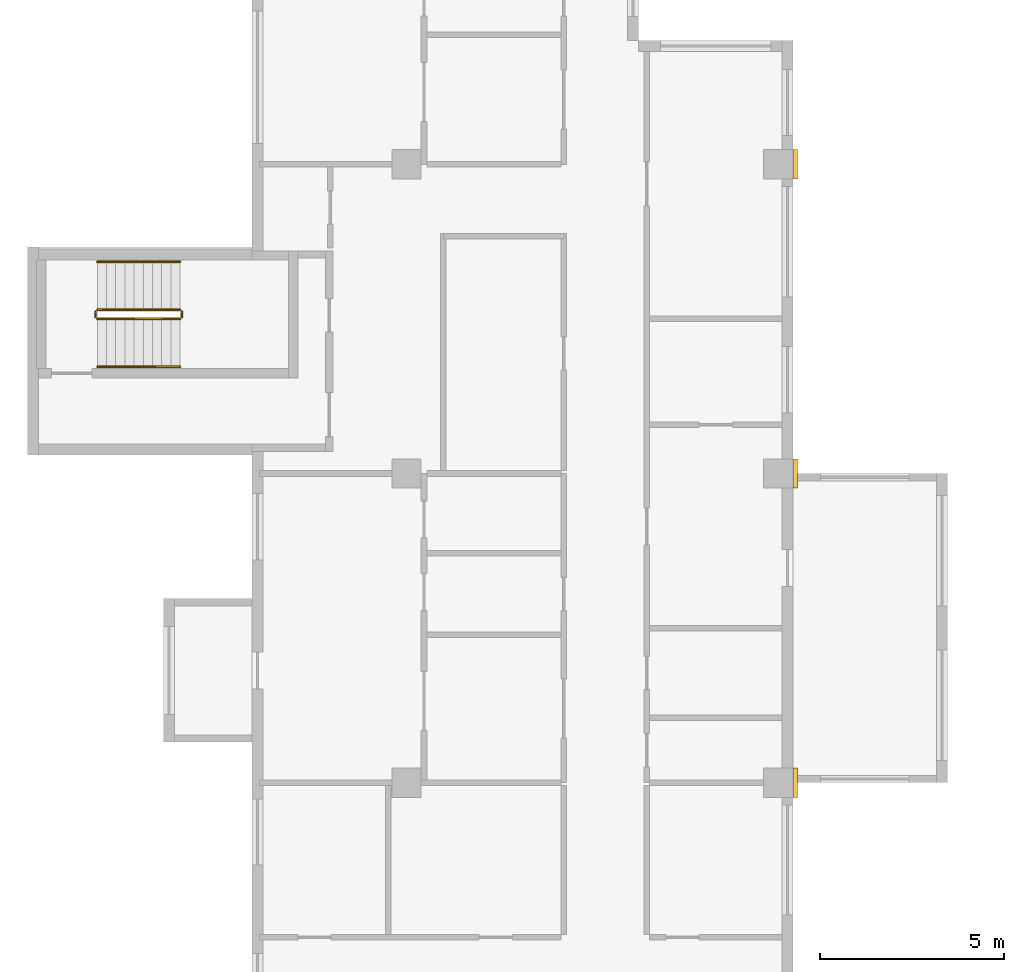
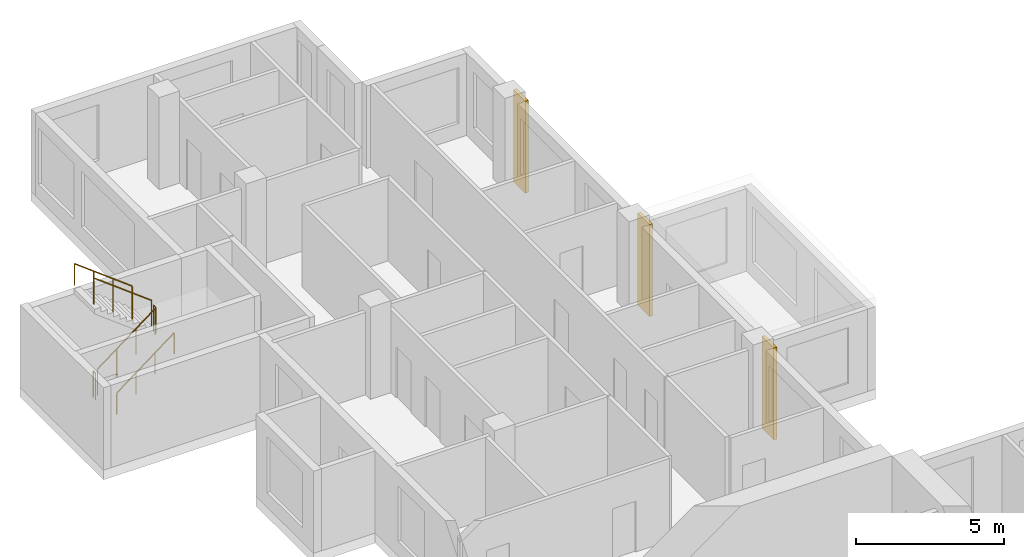
# One storey, part 12 of 12: 6 railings, 3 coverings.
"""IFC4 building model written with IfcOpenShell, lengths in metres."""

from ifc_helpers import new_model, si_unit, direction, frame, origin, origin_2d, place, context, subcontext, project, spatial, rectangle, circle, extrude, source, transform, mapped, material, type_object, element, save


model = new_model("IFC4")

# Units and contexts
model_context = context("Model", 3, precision=1e-05, world=origin(), true_north=direction((0.0, 1.0)))
body_context = subcontext(model_context, "Body", "Model", "MODEL_VIEW")
ifc_project = project(units=[si_unit("LENGTHUNIT", "METRE"), si_unit("AREAUNIT", "SQUARE_METRE"), si_unit("VOLUMEUNIT", "CUBIC_METRE"), si_unit("PLANEANGLEUNIT", "RADIAN"), si_unit("MASSUNIT", "GRAM", prefix="KILO")], contexts=[model_context])

# Site, building, storey
site_placement = place(None, origin())
site = spatial("IfcSite", under=ifc_project, at=site_placement, CompositionType="ELEMENT")
building_placement = place(site_placement, origin())
building = spatial("IfcBuilding", under=site, at=building_placement, Name="Aurelian Terraces", CompositionType="ELEMENT")
storey_placement = place(building_placement, frame((0.0, 0.0, 242.4)))
storey = spatial("IfcBuildingStorey", under=building, at=storey_placement, Name="L55", CompositionType="ELEMENT", Elevation=242.4)

# Coverings
ifc_material_1 = material(Name="Terracotta rainscreen cladding relief", Category="masonry")
covering_type = type_object("IfcCoveringType", Name="BAGUETTE-TC", PredefinedType="CLADDING", material=ifc_material_1)
shared_shape_1 = source(origin(), body_context, "Body", "SweptSolid", [
    extrude(rectangle(XDim=0.12, YDim=0.8, at=origin_2d()), origin(), (0.0, 0.0, 1.0), 3.8),
])
for number, where, z_axis, x_axis, name in (
    (1, (21.06, 29.4, -0.4), (0.0, 0.0, 1.0), (1.0, 0.0, 0.0), "BAGUETTE pier L55 6"),
    (2, (21.06, 37.8, -0.4), (0.0, 0.0, 1.0), (1.0, 0.0, 0.0), "BAGUETTE pier L55 7"),
    (3, (21.06, 46.2, -0.4), (0.0, 0.0, 1.0), (1.0, 0.0, 0.0), "BAGUETTE pier L55 8"),
):
    element("IfcCovering", number, at=place(storey_placement, frame(where, z_axis=z_axis, x_axis=x_axis)), inside=storey, type_object=covering_type, Name=name, PredefinedType="CLADDING", context=body_context, shape_type="MappedRepresentation", body=[
        mapped(shared_shape_1, transform((0.0, 0.0, 0.0), scale=1.0)),
    ])

# Railings
ifc_material_2 = material(Name="Stainless steel", Category="steel")
railing_type_1 = type_object("IfcRailingType", Name="Stair guard 1100", PredefinedType="GUARDRAIL", material=ifc_material_2)
shared_shape_2 = source(origin(), body_context, "Body", "SweptSolid", [
    extrude(circle(Radius=0.024, at=origin_2d()), frame((0.0, 0.0, 1.076), z_axis=(0.0, 1.0, 0.0), x_axis=(-1.0, 0.0, 0.0)), (0.0, 0.0, 1.0), 0.15),
    extrude(circle(Radius=0.021, at=origin_2d()), origin(), (0.0, 0.0, 1.0), 1.052),
    extrude(circle(Radius=0.021, at=origin_2d()), frame((0.0, 0.15, 0.0)), (0.0, 0.0, 1.0), 1.052),
])
for number, where, name in (
    (4, (4.4, 42.05, 1.9), "L55 S3 stair guard 2"),
    (5, (2.05, 42.05, 0.0), "L55 S3 stair guard 4"),
):
    element("IfcRailing", number, at=place(storey_placement, frame(where)), inside=storey, type_object=railing_type_1, Name=name, PredefinedType="GUARDRAIL", context=body_context, shape_type="MappedRepresentation", body=[
        mapped(shared_shape_2, transform((0.0, 0.0, 0.0), scale=1.0)),
    ])
shared_shape_3 = source(origin(), body_context, "Body", "SweptSolid", [
    extrude(circle(Radius=0.024, at=origin_2d()), frame((0.0, 0.0, 1.076), z_axis=(0.796162194123, 0.0, 0.605083267534), x_axis=(0.0, 1.0, 0.0)), (0.0, 0.0, 1.0), 2.8261),
    extrude(circle(Radius=0.021, at=origin_2d()), origin(), (0.0, 0.0, 1.0), 1.052),
    extrude(circle(Radius=0.021, at=origin_2d()), frame((0.75, 0.0, 0.57)), (0.0, 0.0, 1.0), 1.052),
    extrude(circle(Radius=0.021, at=origin_2d()), frame((1.5, 0.0, 1.14)), (0.0, 0.0, 1.0), 1.052),
    extrude(circle(Radius=0.021, at=origin_2d()), frame((2.25, 0.0, 1.71)), (0.0, 0.0, 1.0), 1.052),
])
railing_1_placement = place(storey_placement, frame((2.1, 42.0, 0.19)))
element("IfcRailing", 6, at=railing_1_placement, inside=storey, type_object=railing_type_1, Name="L55 S3 stair guard 1", PredefinedType="GUARDRAIL", context=body_context, shape_type="MappedRepresentation", body=[
    mapped(shared_shape_3, transform((0.0, 0.0, 0.0), scale=1.0)),
])
shared_shape_4 = source(origin(), body_context, "Body", "SweptSolid", [
    extrude(circle(Radius=0.024, at=origin_2d()), frame((0.0, 0.0, 1.076), z_axis=(-0.796162194123, 0.0, 0.605083267534), x_axis=(0.0, -1.0, 0.0)), (0.0, 0.0, 1.0), 2.8261),
    extrude(circle(Radius=0.021, at=origin_2d()), origin(), (0.0, 0.0, 1.0), 1.052),
    extrude(circle(Radius=0.021, at=origin_2d()), frame((-0.75, 0.0, 0.57)), (0.0, 0.0, 1.0), 1.052),
    extrude(circle(Radius=0.021, at=origin_2d()), frame((-1.5, 0.0, 1.14)), (0.0, 0.0, 1.0), 1.052),
    extrude(circle(Radius=0.021, at=origin_2d()), frame((-2.25, 0.0, 1.71)), (0.0, 0.0, 1.0), 1.052),
])
railing_2_placement = place(storey_placement, frame((4.35, 42.25, 2.09)))
element("IfcRailing", 7, at=railing_2_placement, inside=storey, type_object=railing_type_1, Name="L55 S3 stair guard 3", PredefinedType="GUARDRAIL", context=body_context, shape_type="MappedRepresentation", body=[
    mapped(shared_shape_4, transform((0.0, 0.0, 0.0), scale=1.0)),
])
railing_type_2 = type_object("IfcRailingType", Name="Stair handrail", PredefinedType="HANDRAIL", material=ifc_material_2)
shared_shape_5 = source(origin(), body_context, "Body", "SweptSolid", [
    extrude(circle(Radius=0.024, at=origin_2d()), frame((0.0, 0.0, 0.876), z_axis=(0.796162194123, 0.0, 0.605083267534), x_axis=(0.0, 1.0, 0.0)), (0.0, 0.0, 1.0), 2.8261),
    extrude(circle(Radius=0.021, at=origin_2d()), origin(), (0.0, 0.0, 1.0), 0.852),
    extrude(circle(Radius=0.021, at=origin_2d()), frame((0.75, 0.0, 0.57)), (0.0, 0.0, 1.0), 0.852),
    extrude(circle(Radius=0.021, at=origin_2d()), frame((1.5, 0.0, 1.14)), (0.0, 0.0, 1.0), 0.852),
    extrude(circle(Radius=0.021, at=origin_2d()), frame((2.25, 0.0, 1.71)), (0.0, 0.0, 1.0), 0.852),
])
railing_3_placement = place(storey_placement, frame((2.1, 40.7, 0.19)))
element("IfcRailing", 8, at=railing_3_placement, inside=storey, type_object=railing_type_2, Name="L55 S3 stair handrail 1", PredefinedType="HANDRAIL", context=body_context, shape_type="MappedRepresentation", body=[
    mapped(shared_shape_5, transform((0.0, 0.0, 0.0), scale=1.0)),
])
shared_shape_6 = source(origin(), body_context, "Body", "SweptSolid", [
    extrude(circle(Radius=0.024, at=origin_2d()), frame((0.0, 0.0, 0.876), z_axis=(-0.796162194123, 0.0, 0.605083267534), x_axis=(0.0, -1.0, 0.0)), (0.0, 0.0, 1.0), 2.8261),
    extrude(circle(Radius=0.021, at=origin_2d()), origin(), (0.0, 0.0, 1.0), 0.852),
    extrude(circle(Radius=0.021, at=origin_2d()), frame((-0.75, 0.0, 0.57)), (0.0, 0.0, 1.0), 0.852),
    extrude(circle(Radius=0.021, at=origin_2d()), frame((-1.5, 0.0, 1.14)), (0.0, 0.0, 1.0), 0.852),
    extrude(circle(Radius=0.021, at=origin_2d()), frame((-2.25, 0.0, 1.71)), (0.0, 0.0, 1.0), 0.852),
])
railing_4_placement = place(storey_placement, frame((4.35, 43.55, 2.09)))
element("IfcRailing", 9, at=railing_4_placement, inside=storey, type_object=railing_type_2, Name="L55 S3 stair handrail 2", PredefinedType="HANDRAIL", context=body_context, shape_type="MappedRepresentation", body=[
    mapped(shared_shape_6, transform((0.0, 0.0, 0.0), scale=1.0)),
])

save(model, "model.ifc")
